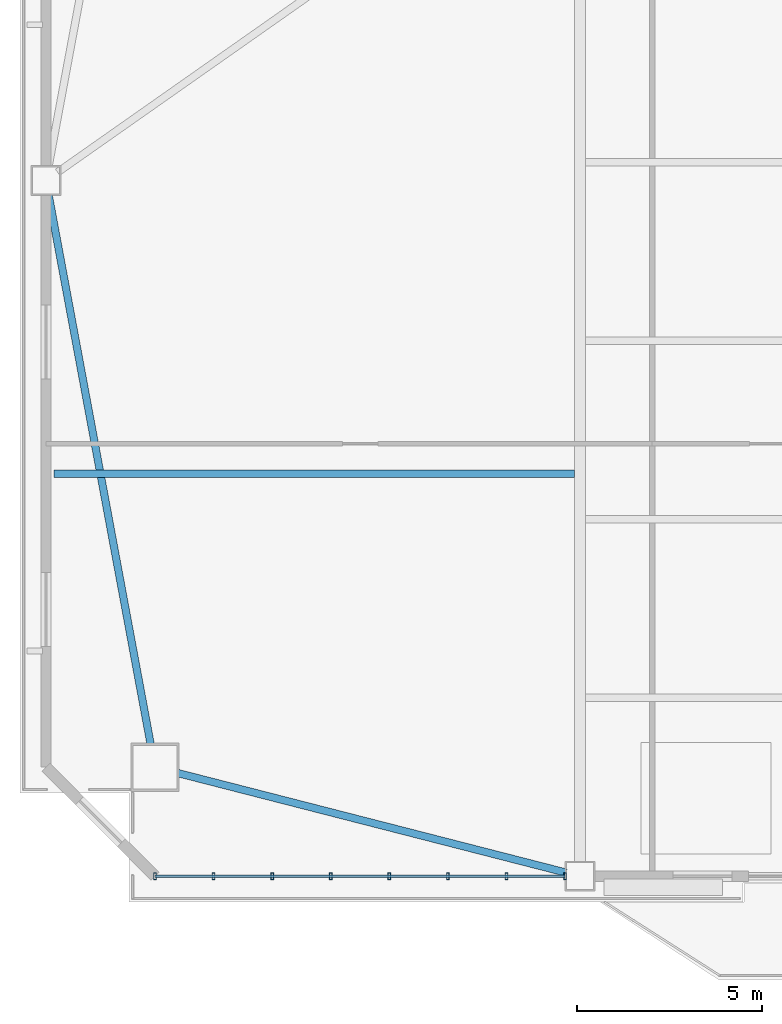
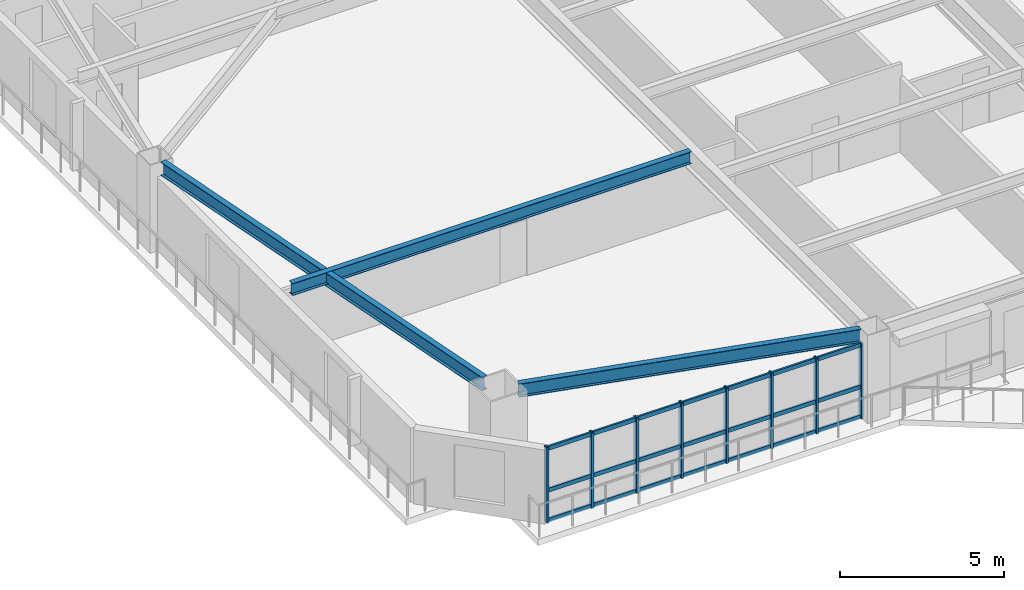
# One storey, part 2 of 15: 11 members, 3 beams, 1 element without a shape of its own.
"""IFC4 building model written with IfcOpenShell, lengths in metres."""

from ifc_helpers import new_model, si_unit, direction, frame, origin, origin_2d, place, context, subcontext, project, spatial, hollow_rectangle, i_section, extrude, source, transform, mapped, material, layer, layer_set, material_profile, profile_set, type_object, element, aggregate, save


model = new_model("IFC4")

# Units and contexts
model_context = context("Model", 3, precision=1e-05, world=origin(), true_north=direction((0.0, 1.0)))
body_context = subcontext(model_context, "Body", "Model", "MODEL_VIEW")
ifc_project = project(units=[si_unit("LENGTHUNIT", "METRE"), si_unit("AREAUNIT", "SQUARE_METRE"), si_unit("VOLUMEUNIT", "CUBIC_METRE"), si_unit("PLANEANGLEUNIT", "RADIAN"), si_unit("MASSUNIT", "GRAM", prefix="KILO")], contexts=[model_context])

# Site, building, storey
site_placement = place(None, origin())
site = spatial("IfcSite", under=ifc_project, at=site_placement, CompositionType="ELEMENT")
building_placement = place(site_placement, origin())
building = spatial("IfcBuilding", under=site, at=building_placement, Name="Giltprow Tower", CompositionType="ELEMENT")
storey_placement = place(building_placement, frame((0.0, 0.0, 149.199951171875)))
storey = spatial("IfcBuildingStorey", under=building, at=storey_placement, Name="L36", CompositionType="ELEMENT", Elevation=149.199951171875)

# Beams
ifc_material_1 = material(Name="Structural steel Q355B", Category="steel")
ifc_material_profile_1 = material_profile(ifc_material_1, i_section(OverallWidth=0.199951171875, OverallDepth=0.5, WebThickness=0.010009765625, FlangeThickness=0.01611328125, at=origin_2d()), Name="HN 500x200x10x16")
ifc_profile_set_1 = profile_set([ifc_material_profile_1], Name="Structural steel Q355B")
beam_type_1 = type_object("IfcBeamType", Name="BM-SPAN-HN500", PredefinedType="SPANDREL", material=ifc_profile_set_1)
shared_shape_1 = source(origin(), body_context, "Body", "SweptSolid", [
    extrude(i_section(OverallWidth=0.199951171875, OverallDepth=0.5, WebThickness=0.010009765625, FlangeThickness=0.01611328125, at=origin_2d()), origin(), (0.0, 0.0, 1.0), 10.812744140625),
])
beam_1_placement = place(storey_placement, frame((9.0029296875, 11.35302734375, 3.02001953125), z_axis=(0.968677514961, -0.248322113411, 0.0), x_axis=(0.248322113411, 0.968677514961, 0.0)))
element("IfcBeam", 1, at=beam_1_placement, inside=storey, type_object=beam_type_1, Name="L36 Perimeter Spandrel Beam MC_SW-S1", PredefinedType="SPANDREL", context=body_context, shape_type="MappedRepresentation", body=[
    mapped(shared_shape_1, transform((0.0, 0.0, 0.0), x_axis=(1.0, 0.0, 0.0), y_axis=(0.0, 1.0, 0.0), z_axis=(0.0, 0.0, 1.0), scale=1.0)),
])
shared_shape_2 = source(origin(), body_context, "Body", "SweptSolid", [
    extrude(i_section(OverallWidth=0.199951171875, OverallDepth=0.5, WebThickness=0.010009765625, FlangeThickness=0.01611328125, at=origin_2d()), origin(), (0.0, 0.0, 1.0), 15.075439453125),
])
beam_2_placement = place(storey_placement, frame((5.51904296875, 26.95703125, 3.02001953125), z_axis=(0.182609413871, -0.983185537915, 0.0), x_axis=(0.983185537915, 0.182609413871, 0.0)))
element("IfcBeam", 2, at=beam_2_placement, inside=storey, type_object=beam_type_1, Name="L36 Perimeter Spandrel Beam W_MID-MC_SW", PredefinedType="SPANDREL", context=body_context, shape_type="MappedRepresentation", body=[
    mapped(shared_shape_2, transform((0.0, 0.0, 0.0), x_axis=(1.0, 0.0, 0.0), y_axis=(0.0, 1.0, 0.0), z_axis=(0.0, 0.0, 1.0), scale=1.0)),
])
ifc_material_profile_2 = material_profile(ifc_material_1, i_section(OverallWidth=0.199951171875, OverallDepth=0.449951171875, WebThickness=0.009033203125, FlangeThickness=0.013916015625, at=origin_2d()), Name="HN 450x200x9x14")
ifc_profile_set_2 = profile_set([ifc_material_profile_2], Name="Structural steel Q355B")
beam_type_2 = type_object("IfcBeamType", Name="BM-JOIST-HN450", PredefinedType="JOIST", material=ifc_profile_set_2)
shared_shape_3 = source(origin(), body_context, "Body", "SweptSolid", [
    extrude(i_section(OverallWidth=0.199951171875, OverallDepth=0.449951171875, WebThickness=0.009033203125, FlangeThickness=0.013916015625, at=origin_2d()), origin(), (0.0, 0.0, 1.0), 14.0361328125),
])
beam_3_placement = place(storey_placement, frame((5.6689453125, 19.423095703125, 3.045166015625), z_axis=(1.0, 0.0, 0.0), x_axis=(0.0, 1.0, 0.0)))
element("IfcBeam", 3, at=beam_3_placement, inside=storey, type_object=beam_type_2, Name="L36 West Wing Floor Joist 1", PredefinedType="JOIST", context=body_context, shape_type="MappedRepresentation", body=[
    mapped(shared_shape_3, transform((0.0, 0.0, 0.0), x_axis=(1.0, 0.0, 0.0), y_axis=(0.0, 1.0, 0.0), z_axis=(0.0, 0.0, 1.0), scale=1.0)),
])

# Curtain wall, members
ifc_material_2 = material(Name="Anodized bronze", Category="metal")
ifc_layer = layer(ifc_material_2, 0.179931640625, Name="Anodized bronze")
ifc_layer_set = layer_set([ifc_layer], Name="Anodized bronze")
curtain_wall_type = type_object("IfcCurtainWallType", Name="CW-HTL-BRONZE", PredefinedType="NOTDEFINED", material=ifc_layer_set)
curtain_wall_placement = place(storey_placement, origin())
curtain_wall = element("IfcCurtainWall", 4, at=curtain_wall_placement, inside=storey, type_object=curtain_wall_type, Name="L36 South Recessed Curtain Wall 1", PredefinedType="NOTDEFINED")
ifc_material_profile_3 = material_profile(ifc_material_2, hollow_rectangle(XDim=0.074951171875, YDim=0.179931640625, WallThickness=0.008056640625, at=origin_2d()), Name="RHS 180x75x8")
ifc_profile_set_3 = profile_set([ifc_material_profile_3], Name="Anodized bronze")
member_type_1 = type_object("IfcMemberType", Name="CW-MULLION-180x75", PredefinedType="MULLION", material=ifc_profile_set_3)
shared_shape_4 = source(origin(), body_context, "Body", "SweptSolid", [
    extrude(hollow_rectangle(XDim=0.074951171875, YDim=0.179931640625, WallThickness=0.008056640625, at=origin_2d()), origin(), (0.0, 0.0, 1.0), 2.80517578125),
])
member_1_placement = place(storey_placement, frame((8.387939453125, 8.572021484375, -0.02001953125), z_axis=(0.0, 0.0, 1.0), x_axis=(1.0, 0.0, 0.0)))
member_1 = element("IfcMember", 5, at=member_1_placement, type_object=member_type_1, Name="L36 South Recessed Curtain Wall 1 Mullion 1", PredefinedType="MULLION", context=body_context, shape_type="MappedRepresentation", body=[
    mapped(shared_shape_4, transform((0.0, 0.0, 0.0), x_axis=(1.0, 0.0, 0.0), y_axis=(0.0, 1.0, 0.0), z_axis=(0.0, 0.0, 1.0), scale=1.0)),
])
member_2_placement = place(storey_placement, frame((9.968017578125, 8.572021484375, -0.02001953125), z_axis=(0.0, 0.0, 1.0), x_axis=(1.0, 0.0, 0.0)))
member_2 = element("IfcMember", 6, at=member_2_placement, type_object=member_type_1, Name="L36 South Recessed Curtain Wall 1 Mullion 2", PredefinedType="MULLION", context=body_context, shape_type="MappedRepresentation", body=[
    mapped(shared_shape_4, transform((0.0, 0.0, 0.0), x_axis=(1.0, 0.0, 0.0), y_axis=(0.0, 1.0, 0.0), z_axis=(0.0, 0.0, 1.0), scale=1.0)),
])
member_3_placement = place(storey_placement, frame((11.549072265625, 8.572021484375, -0.02001953125), z_axis=(0.0, 0.0, 1.0), x_axis=(1.0, 0.0, 0.0)))
member_3 = element("IfcMember", 7, at=member_3_placement, type_object=member_type_1, Name="L36 South Recessed Curtain Wall 1 Mullion 3", PredefinedType="MULLION", context=body_context, shape_type="MappedRepresentation", body=[
    mapped(shared_shape_4, transform((0.0, 0.0, 0.0), x_axis=(1.0, 0.0, 0.0), y_axis=(0.0, 1.0, 0.0), z_axis=(0.0, 0.0, 1.0), scale=1.0)),
])
member_4_placement = place(storey_placement, frame((13.12890625, 8.572021484375, -0.02001953125), z_axis=(0.0, 0.0, 1.0), x_axis=(1.0, 0.0, 0.0)))
member_4 = element("IfcMember", 8, at=member_4_placement, type_object=member_type_1, Name="L36 South Recessed Curtain Wall 1 Mullion 4", PredefinedType="MULLION", context=body_context, shape_type="MappedRepresentation", body=[
    mapped(shared_shape_4, transform((0.0, 0.0, 0.0), x_axis=(1.0, 0.0, 0.0), y_axis=(0.0, 1.0, 0.0), z_axis=(0.0, 0.0, 1.0), scale=1.0)),
])
member_5_placement = place(storey_placement, frame((14.708984375, 8.572021484375, -0.02001953125), z_axis=(0.0, 0.0, 1.0), x_axis=(1.0, 0.0, 0.0)))
member_5 = element("IfcMember", 9, at=member_5_placement, type_object=member_type_1, Name="L36 South Recessed Curtain Wall 1 Mullion 5", PredefinedType="MULLION", context=body_context, shape_type="MappedRepresentation", body=[
    mapped(shared_shape_4, transform((0.0, 0.0, 0.0), x_axis=(1.0, 0.0, 0.0), y_axis=(0.0, 1.0, 0.0), z_axis=(0.0, 0.0, 1.0), scale=1.0)),
])
member_6_placement = place(storey_placement, frame((16.2890625, 8.572021484375, -0.02001953125), z_axis=(0.0, 0.0, 1.0), x_axis=(1.0, 0.0, 0.0)))
member_6 = element("IfcMember", 10, at=member_6_placement, type_object=member_type_1, Name="L36 South Recessed Curtain Wall 1 Mullion 6", PredefinedType="MULLION", context=body_context, shape_type="MappedRepresentation", body=[
    mapped(shared_shape_4, transform((0.0, 0.0, 0.0), x_axis=(1.0, 0.0, 0.0), y_axis=(0.0, 1.0, 0.0), z_axis=(0.0, 0.0, 1.0), scale=1.0)),
])
member_7_placement = place(storey_placement, frame((17.8701171875, 8.572021484375, -0.02001953125), z_axis=(0.0, 0.0, 1.0), x_axis=(1.0, 0.0, 0.0)))
member_7 = element("IfcMember", 11, at=member_7_placement, type_object=member_type_1, Name="L36 South Recessed Curtain Wall 1 Mullion 7", PredefinedType="MULLION", context=body_context, shape_type="MappedRepresentation", body=[
    mapped(shared_shape_4, transform((0.0, 0.0, 0.0), x_axis=(1.0, 0.0, 0.0), y_axis=(0.0, 1.0, 0.0), z_axis=(0.0, 0.0, 1.0), scale=1.0)),
])
member_8_placement = place(storey_placement, frame((19.449951171875, 8.572021484375, -0.02001953125), z_axis=(0.0, 0.0, 1.0), x_axis=(1.0, 0.0, 0.0)))
member_8 = element("IfcMember", 12, at=member_8_placement, type_object=member_type_1, Name="L36 South Recessed Curtain Wall 1 Mullion 8", PredefinedType="MULLION", context=body_context, shape_type="MappedRepresentation", body=[
    mapped(shared_shape_4, transform((0.0, 0.0, 0.0), x_axis=(1.0, 0.0, 0.0), y_axis=(0.0, 1.0, 0.0), z_axis=(0.0, 0.0, 1.0), scale=1.0)),
])
ifc_material_profile_4 = material_profile(ifc_material_2, hollow_rectangle(XDim=0.06494140625, YDim=0.14990234375, WallThickness=0.006103515625, at=origin_2d()), Name="RHS 150x65x6")
ifc_profile_set_4 = profile_set([ifc_material_profile_4], Name="Anodized bronze")
member_type_2 = type_object("IfcMemberType", Name="CW-TRANSOM-150x65", PredefinedType="USERDEFINED", material=ifc_profile_set_4)
shared_shape_5 = source(origin(), body_context, "Body", "SweptSolid", [
    extrude(hollow_rectangle(XDim=0.06494140625, YDim=0.14990234375, WallThickness=0.006103515625, at=origin_2d()), origin(), (0.0, 0.0, 1.0), 11.06201171875),
])
member_9_placement = place(storey_placement, frame((8.387939453125, 8.572021484375, 0.0400390625), z_axis=(1.0, 0.0, 0.0), x_axis=(0.0, 1.0, 0.0)))
member_9 = element("IfcMember", 13, at=member_9_placement, type_object=member_type_2, Name="L36 South Recessed Curtain Wall 1 Transom 1", ObjectType="TRANSOM", PredefinedType="USERDEFINED", context=body_context, shape_type="MappedRepresentation", body=[
    mapped(shared_shape_5, transform((0.0, 0.0, 0.0), x_axis=(1.0, 0.0, 0.0), y_axis=(0.0, 1.0, 0.0), z_axis=(0.0, 0.0, 1.0), scale=1.0)),
])
member_10_placement = place(storey_placement, frame((8.387939453125, 8.572021484375, 1.155029296875), z_axis=(1.0, 0.0, 0.0), x_axis=(0.0, 1.0, 0.0)))
member_10 = element("IfcMember", 14, at=member_10_placement, type_object=member_type_2, Name="L36 South Recessed Curtain Wall 1 Transom 2", ObjectType="TRANSOM", PredefinedType="USERDEFINED", context=body_context, shape_type="MappedRepresentation", body=[
    mapped(shared_shape_5, transform((0.0, 0.0, 0.0), x_axis=(1.0, 0.0, 0.0), y_axis=(0.0, 1.0, 0.0), z_axis=(0.0, 0.0, 1.0), scale=1.0)),
])
member_11_placement = place(storey_placement, frame((8.387939453125, 8.572021484375, 2.7099609375), z_axis=(1.0, 0.0, 0.0), x_axis=(0.0, 1.0, 0.0)))
member_11 = element("IfcMember", 15, at=member_11_placement, type_object=member_type_2, Name="L36 South Recessed Curtain Wall 1 Transom 3", ObjectType="TRANSOM", PredefinedType="USERDEFINED", context=body_context, shape_type="MappedRepresentation", body=[
    mapped(shared_shape_5, transform((0.0, 0.0, 0.0), x_axis=(1.0, 0.0, 0.0), y_axis=(0.0, 1.0, 0.0), z_axis=(0.0, 0.0, 1.0), scale=1.0)),
])
aggregate(curtain_wall, [member_1, member_2, member_3, member_4, member_5, member_6, member_7, member_8, member_9, member_10, member_11])

save(model, "model.ifc")
